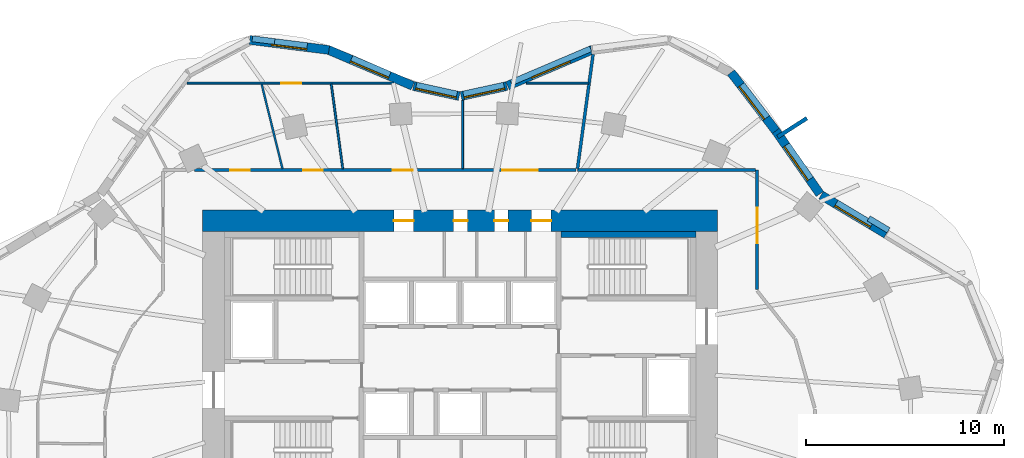
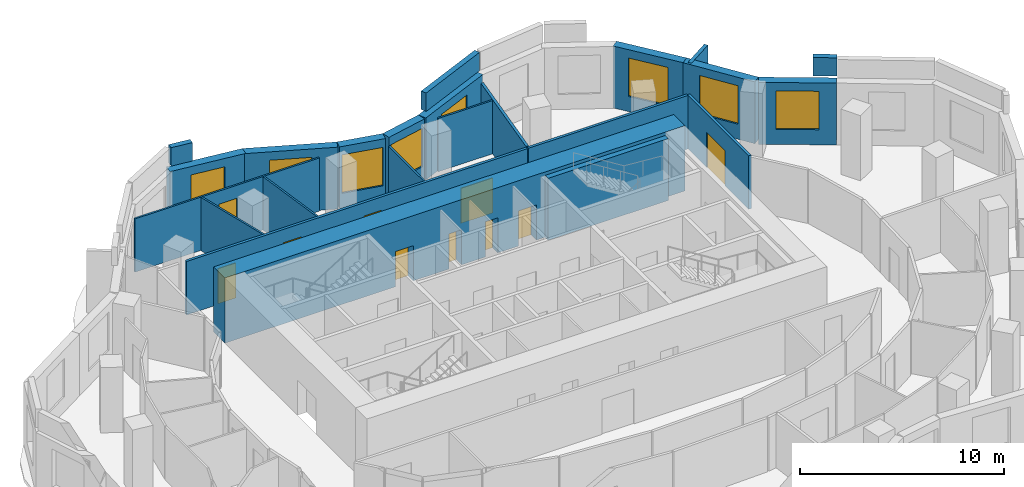
# One storey, part 8 of 10: 23 walls, 10 doors, 8 windows, 18 openings.
"""IFC4 building model written with IfcOpenShell, lengths in metres."""

from ifc_helpers import new_model, si_unit, direction, frame, frame_2d, origin, place, context, subcontext, project, spatial, rectangle, extrude, material, layer, layer_set, type_object, element, fill, save


model = new_model("IFC4")

# Units and contexts
model_context = context("Model", 3, precision=1e-05, world=origin(), true_north=direction((0.0, 1.0)))
body_context = subcontext(model_context, "Body", "Model", "MODEL_VIEW")
ifc_project = project(units=[si_unit("LENGTHUNIT", "METRE"), si_unit("AREAUNIT", "SQUARE_METRE"), si_unit("VOLUMEUNIT", "CUBIC_METRE"), si_unit("PLANEANGLEUNIT", "RADIAN"), si_unit("MASSUNIT", "GRAM", prefix="KILO")], contexts=[model_context])

# Site, building, storey
site_placement = place(None, origin())
site = spatial("IfcSite", under=ifc_project, at=site_placement, CompositionType="ELEMENT")
building_placement = place(site_placement, origin())
building = spatial("IfcBuilding", under=site, at=building_placement, Name="Rubra Terraces Tower", CompositionType="ELEMENT")
storey_placement = place(building_placement, frame((0.0, 0.0, 157.800048828125)))
storey = spatial("IfcBuildingStorey", under=building, at=storey_placement, Name="L38", CompositionType="ELEMENT", Elevation=157.800048828125)

# Wall, opening, window
ifc_material_1 = material(Name="Brick masonry red-brown", Category="masonry")
ifc_layer_1 = layer(ifc_material_1, 0.449951171875)
ifc_layer_set_1 = layer_set([ifc_layer_1], Name="Brick masonry red-brown")
wall_type_1 = type_object("IfcWallType", Name="Brick facade wall 450", PredefinedType="SOLIDWALL", material=ifc_layer_set_1)
wall_1_placement = place(storey_placement, frame((21.510498046875, 10.7744140625, 0.0), z_axis=(0.0, 0.0, 1.0), x_axis=(-0.857920147813, 0.513783047576, 0.0)))
wall_1 = element("IfcWall", 1, at=wall_1_placement, inside=storey, type_object=wall_type_1, Name="Facade wall L38 bay 4", PredefinedType="SOLIDWALL", context=body_context, shape_type="SweptSolid", body=[
    extrude(rectangle(XDim=3.82958984375, YDim=0.449951171875, at=frame_2d((1.914794921875, 0.0))), origin(), (0.0, 0.0, 1.0), 3.699951171875),
])
opening_1_placement = place(wall_1_placement, frame((0.86474609375, 0.0, 0.89990234375)))
opening_1 = element("IfcOpeningElement", 2, at=opening_1_placement, cuts=wall_1, Name="Opening W1B", PredefinedType="OPENING", context=body_context, shape_type="SweptSolid", body=[
    extrude(rectangle(XDim=2.10009765625, YDim=2.300048828125, at=frame_2d((1.050048828125, 1.14990234375))), frame((0.0, 0.23486328125, 0.0), z_axis=(0.0, -1.0, 0.0), x_axis=(1.0, 0.0, 0.0)), (0.0, 0.0, 1.0), 0.469970703125),
])
ifc_material_2 = material(Name="Clear glass in aluminium frame", Category="aluminium")
window_type_1 = type_object("IfcWindowType", Name="Fixed deep-set window tall storey 2100 x 2300", PartitioningType="SINGLE_PANEL", PredefinedType="WINDOW", material=ifc_material_2)
window_1_placement = place(opening_1_placement, origin())
window_1 = element("IfcWindow", 3, at=window_1_placement, inside=storey, type_object=window_type_1, Name="Window L38 bay 4", OverallHeight=2.300048828125, OverallWidth=2.10009765625, PartitioningType="SINGLE_PANEL", PredefinedType="WINDOW", context=body_context, shape_type="SweptSolid", body=[
    extrude(rectangle(XDim=2.10009765625, YDim=2.300048828125, at=frame_2d((1.050048828125, 1.14990234375))), frame((0.0, 0.135009765625, 0.0), z_axis=(0.0, -1.0, 0.0), x_axis=(1.0, 0.0, 0.0)), (0.0, 0.0, 1.0), 0.06005859375),
])
fill(opening_1, window_1)

wall_2_placement = place(storey_placement, frame((18.16259765625, 12.801025390625, 0.0), z_axis=(0.0, 0.0, 1.0), x_axis=(-0.57296578596, 0.819579287269, 0.0)))
wall_2 = element("IfcWall", 4, at=wall_2_placement, inside=storey, type_object=wall_type_1, Name="Facade wall L38 bay 5", PredefinedType="SOLIDWALL", context=body_context, shape_type="SweptSolid", body=[
    extrude(rectangle(XDim=3.89453125, YDim=0.449951171875, at=frame_2d((1.947265625, 0.0))), origin(), (0.0, 0.0, 1.0), 3.699951171875),
])
opening_2_placement = place(wall_2_placement, frame((0.897216796875, 0.0, 0.89990234375)))
opening_2 = element("IfcOpeningElement", 5, at=opening_2_placement, cuts=wall_2, Name="Opening W1B", PredefinedType="OPENING", context=body_context, shape_type="SweptSolid", body=[
    extrude(rectangle(XDim=2.10009765625, YDim=2.300048828125, at=frame_2d((1.050048828125, 1.14990234375))), frame((0.0, 0.23486328125, 0.0), z_axis=(0.0, -1.0, 0.0), x_axis=(1.0, 0.0, 0.0)), (0.0, 0.0, 1.0), 0.469970703125),
])
window_2_placement = place(opening_2_placement, origin())
window_2 = element("IfcWindow", 6, at=window_2_placement, inside=storey, type_object=window_type_1, Name="Window L38 bay 5", OverallHeight=2.300048828125, OverallWidth=2.10009765625, PartitioningType="SINGLE_PANEL", PredefinedType="WINDOW", context=body_context, shape_type="SweptSolid", body=[
    extrude(rectangle(XDim=2.10009765625, YDim=2.300048828125, at=frame_2d((1.050048828125, 1.14990234375))), frame((0.0, 0.135009765625, 0.0), z_axis=(0.0, -1.0, 0.0), x_axis=(1.0, 0.0, 0.0)), (0.0, 0.0, 1.0), 0.06005859375),
])
fill(opening_2, window_2)

wall_3_placement = place(storey_placement, frame((15.937255859375, 15.985107421875, 0.0), z_axis=(0.0, 0.0, 1.0), x_axis=(-0.60824792446, 0.793747102288, 0.0)))
wall_3 = element("IfcWall", 7, at=wall_3_placement, inside=storey, type_object=wall_type_1, Name="Facade wall L38 bay 6", PredefinedType="SOLIDWALL", context=body_context, shape_type="SweptSolid", body=[
    extrude(rectangle(XDim=3.712890625, YDim=0.449951171875, at=frame_2d((1.8564453125, 0.0))), origin(), (0.0, 0.0, 1.0), 3.699951171875),
])
opening_3_placement = place(wall_3_placement, frame((0.806396484375, 0.0, 0.89990234375)))
opening_3 = element("IfcOpeningElement", 8, at=opening_3_placement, cuts=wall_3, Name="Opening W1B", PredefinedType="OPENING", context=body_context, shape_type="SweptSolid", body=[
    extrude(rectangle(XDim=2.10009765625, YDim=2.300048828125, at=frame_2d((1.050048828125, 1.14990234375))), frame((0.0, 0.23486328125, 0.0), z_axis=(0.0, -1.0, 0.0), x_axis=(1.0, 0.0, 0.0)), (0.0, 0.0, 1.0), 0.469970703125),
])
window_3_placement = place(opening_3_placement, origin())
window_3 = element("IfcWindow", 9, at=window_3_placement, inside=storey, type_object=window_type_1, Name="Window L38 bay 6", OverallHeight=2.300048828125, OverallWidth=2.10009765625, PartitioningType="SINGLE_PANEL", PredefinedType="WINDOW", context=body_context, shape_type="SweptSolid", body=[
    extrude(rectangle(XDim=2.10009765625, YDim=2.300048828125, at=frame_2d((1.050048828125, 1.14990234375))), frame((0.0, 0.135009765625, 0.0), z_axis=(0.0, -1.0, 0.0), x_axis=(1.0, 0.0, 0.0)), (0.0, 0.0, 1.0), 0.06005859375),
])
fill(opening_3, window_3)

wall_4_placement = place(storey_placement, frame((6.68212890625, 20.0859375, 0.0), z_axis=(0.0, 0.0, 1.0), x_axis=(-0.920066650468, -0.391761864781, 0.0)))
wall_4 = element("IfcWall", 10, at=wall_4_placement, inside=storey, type_object=wall_type_1, Name="Facade wall L38 bay 9", PredefinedType="SOLIDWALL", context=body_context, shape_type="SweptSolid", body=[
    extrude(rectangle(XDim=4.65966796875, YDim=0.449951171875, at=frame_2d((2.329833984375, 0.0))), origin(), (0.0, 0.0, 1.0), 3.699951171875),
])
opening_4_placement = place(wall_4_placement, frame((1.27978515625, 0.0, 0.89990234375)))
opening_4 = element("IfcOpeningElement", 11, at=opening_4_placement, cuts=wall_4, Name="Opening W1B", PredefinedType="OPENING", context=body_context, shape_type="SweptSolid", body=[
    extrude(rectangle(XDim=2.10009765625, YDim=2.300048828125, at=frame_2d((1.050048828125, 1.14990234375))), frame((0.0, 0.23486328125, 0.0), z_axis=(0.0, -1.0, 0.0), x_axis=(1.0, 0.0, 0.0)), (0.0, 0.0, 1.0), 0.469970703125),
])
window_4_placement = place(opening_4_placement, origin())
window_4 = element("IfcWindow", 12, at=window_4_placement, inside=storey, type_object=window_type_1, Name="Window L38 bay 9", OverallHeight=2.300048828125, OverallWidth=2.10009765625, PartitioningType="SINGLE_PANEL", PredefinedType="WINDOW", context=body_context, shape_type="SweptSolid", body=[
    extrude(rectangle(XDim=2.10009765625, YDim=2.300048828125, at=frame_2d((1.050048828125, 1.14990234375))), frame((0.0, 0.135009765625, 0.0), z_axis=(0.0, -1.0, 0.0), x_axis=(1.0, 0.0, 0.0)), (0.0, 0.0, 1.0), 0.06005859375),
])
fill(opening_4, window_4)

wall_5_placement = place(storey_placement, frame((2.35498046875, 18.247802734375, 0.0), z_axis=(0.0, 0.0, 1.0), x_axis=(-0.976877755098, -0.213798623933, 0.0)))
wall_5 = element("IfcWall", 13, at=wall_5_placement, inside=storey, type_object=wall_type_1, Name="Facade wall L38 bay 10", PredefinedType="SOLIDWALL", context=body_context, shape_type="SweptSolid", body=[
    extrude(rectangle(XDim=2.361572265625, YDim=0.449951171875, at=frame_2d((1.1806640625, 0.0))), origin(), (0.0, 0.0, 1.0), 3.699951171875),
])
opening_5_placement = place(wall_5_placement, frame((0.130615234375, 0.0, 0.89990234375)))
opening_5 = element("IfcOpeningElement", 14, at=opening_5_placement, cuts=wall_5, Name="Opening W1B", PredefinedType="OPENING", context=body_context, shape_type="SweptSolid", body=[
    extrude(rectangle(XDim=2.10009765625, YDim=2.300048828125, at=frame_2d((1.050048828125, 1.14990234375))), frame((0.0, 0.23486328125, 0.0), z_axis=(0.0, -1.0, 0.0), x_axis=(1.0, 0.0, 0.0)), (0.0, 0.0, 1.0), 0.469970703125),
])
window_5_placement = place(opening_5_placement, origin())
window_5 = element("IfcWindow", 15, at=window_5_placement, inside=storey, type_object=window_type_1, Name="Window L38 bay 10", OverallHeight=2.300048828125, OverallWidth=2.10009765625, PartitioningType="SINGLE_PANEL", PredefinedType="WINDOW", context=body_context, shape_type="SweptSolid", body=[
    extrude(rectangle(XDim=2.10009765625, YDim=2.300048828125, at=frame_2d((1.050048828125, 1.14990234375))), frame((0.0, 0.135009765625, 0.0), z_axis=(0.0, -1.0, 0.0), x_axis=(1.0, 0.0, 0.0)), (0.0, 0.0, 1.0), 0.06005859375),
])
fill(opening_5, window_5)

wall_6_placement = place(storey_placement, frame((-0.048095703125, 17.742919921875, 0.0), z_axis=(0.0, 0.0, 1.0), x_axis=(-0.976877755098, 0.213798623933, 0.0)))
wall_6 = element("IfcWall", 16, at=wall_6_placement, inside=storey, type_object=wall_type_1, Name="Facade wall L38 bay 11", PredefinedType="SOLIDWALL", context=body_context, shape_type="SweptSolid", body=[
    extrude(rectangle(XDim=2.361572265625, YDim=0.449951171875, at=frame_2d((1.1806640625, 0.0))), origin(), (0.0, 0.0, 1.0), 3.699951171875),
])
opening_6_placement = place(wall_6_placement, frame((0.130615234375, 0.0, 0.89990234375)))
opening_6 = element("IfcOpeningElement", 17, at=opening_6_placement, cuts=wall_6, Name="Opening W1B", PredefinedType="OPENING", context=body_context, shape_type="SweptSolid", body=[
    extrude(rectangle(XDim=2.10009765625, YDim=2.300048828125, at=frame_2d((1.050048828125, 1.14990234375))), frame((0.0, 0.23486328125, 0.0), z_axis=(0.0, -1.0, 0.0), x_axis=(1.0, 0.0, 0.0)), (0.0, 0.0, 1.0), 0.469970703125),
])
window_6_placement = place(opening_6_placement, origin())
window_6 = element("IfcWindow", 18, at=window_6_placement, inside=storey, type_object=window_type_1, Name="Window L38 bay 11", OverallHeight=2.300048828125, OverallWidth=2.10009765625, PartitioningType="SINGLE_PANEL", PredefinedType="WINDOW", context=body_context, shape_type="SweptSolid", body=[
    extrude(rectangle(XDim=2.10009765625, YDim=2.300048828125, at=frame_2d((1.050048828125, 1.14990234375))), frame((0.0, 0.135009765625, 0.0), z_axis=(0.0, -1.0, 0.0), x_axis=(1.0, 0.0, 0.0)), (0.0, 0.0, 1.0), 0.06005859375),
])
fill(opening_6, window_6)

wall_7_placement = place(storey_placement, frame((-2.39501953125, 18.260498046875, 0.0), z_axis=(0.0, 0.0, 1.0), x_axis=(-0.920066650468, 0.391761864781, 0.0)))
wall_7 = element("IfcWall", 19, at=wall_7_placement, inside=storey, type_object=wall_type_1, Name="Facade wall L38 bay 12", PredefinedType="SOLIDWALL", context=body_context, shape_type="SweptSolid", body=[
    extrude(rectangle(XDim=4.65966796875, YDim=0.449951171875, at=frame_2d((2.329833984375, 0.0))), origin(), (0.0, 0.0, 1.0), 3.699951171875),
])
opening_7_placement = place(wall_7_placement, frame((1.27978515625, 0.0, 0.89990234375)))
opening_7 = element("IfcOpeningElement", 20, at=opening_7_placement, cuts=wall_7, Name="Opening W1B", PredefinedType="OPENING", context=body_context, shape_type="SweptSolid", body=[
    extrude(rectangle(XDim=2.10009765625, YDim=2.300048828125, at=frame_2d((1.050048828125, 1.14990234375))), frame((0.0, 0.23486328125, 0.0), z_axis=(0.0, -1.0, 0.0), x_axis=(1.0, 0.0, 0.0)), (0.0, 0.0, 1.0), 0.469970703125),
])
window_7_placement = place(opening_7_placement, origin())
window_7 = element("IfcWindow", 21, at=window_7_placement, inside=storey, type_object=window_type_1, Name="Window L38 bay 12", OverallHeight=2.300048828125, OverallWidth=2.10009765625, PartitioningType="SINGLE_PANEL", PredefinedType="WINDOW", context=body_context, shape_type="SweptSolid", body=[
    extrude(rectangle(XDim=2.10009765625, YDim=2.300048828125, at=frame_2d((1.050048828125, 1.14990234375))), frame((0.0, 0.135009765625, 0.0), z_axis=(0.0, -1.0, 0.0), x_axis=(1.0, 0.0, 0.0)), (0.0, 0.0, 1.0), 0.06005859375),
])
fill(opening_7, window_7)

wall_8_placement = place(storey_placement, frame((-6.622314453125, 20.06982421875, 0.0), z_axis=(0.0, 0.0, 1.0), x_axis=(-0.992109407201, 0.125375133674, 0.0)))
wall_8 = element("IfcWall", 22, at=wall_8_placement, inside=storey, type_object=wall_type_1, Name="Facade wall L38 bay 13", PredefinedType="SOLIDWALL", context=body_context, shape_type="SweptSolid", body=[
    extrude(rectangle(XDim=4.03466796875, YDim=0.449951171875, at=frame_2d((2.017333984375, 0.0))), origin(), (0.0, 0.0, 1.0), 3.699951171875),
])
opening_8_placement = place(wall_8_placement, frame((1.117431640625, 0.0, 0.89990234375)))
opening_8 = element("IfcOpeningElement", 23, at=opening_8_placement, cuts=wall_8, Name="Opening W6B", PredefinedType="OPENING", context=body_context, shape_type="SweptSolid", body=[
    extrude(rectangle(XDim=1.800048828125, YDim=2.300048828125, at=frame_2d((0.89990234375, 1.14990234375))), frame((0.0, 0.23486328125, 0.0), z_axis=(0.0, -1.0, 0.0), x_axis=(1.0, 0.0, 0.0)), (0.0, 0.0, 1.0), 0.469970703125),
])
window_type_2 = type_object("IfcWindowType", Name="Fixed deep-set window at wind fin tall storey 1800 x 2300", PartitioningType="SINGLE_PANEL", PredefinedType="WINDOW", material=ifc_material_2)
window_8_placement = place(opening_8_placement, origin())
window_8 = element("IfcWindow", 24, at=window_8_placement, inside=storey, type_object=window_type_2, Name="Window L38 bay 13", OverallHeight=2.300048828125, OverallWidth=1.800048828125, PartitioningType="SINGLE_PANEL", PredefinedType="WINDOW", context=body_context, shape_type="SweptSolid", body=[
    extrude(rectangle(XDim=1.800048828125, YDim=2.300048828125, at=frame_2d((0.89990234375, 1.14990234375))), frame((0.0, 0.135009765625, 0.0), z_axis=(0.0, -1.0, 0.0), x_axis=(1.0, 0.0, 0.0)), (0.0, 0.0, 1.0), 0.06005859375),
])
fill(opening_8, window_8)

# Walls
ifc_layer_2 = layer(ifc_material_1, 0.300048828125)
ifc_layer_set_2 = layer_set([ifc_layer_2], Name="Brick masonry red-brown")
wall_type_2 = type_object("IfcWallType", Name="Brick parapet 300", PredefinedType="PARAPET", material=ifc_layer_set_2)
wall_9_placement = place(storey_placement, frame((21.631103515625, 10.964599609375, 3.89990234375), z_axis=(0.0, 0.0, 1.0), x_axis=(-0.857953615481, 0.513727158795, 0.0)))
element("IfcWall", 25, at=wall_9_placement, inside=storey, type_object=wall_type_2, Name="Parapet L38 bay 4", PredefinedType="PARAPET", context=body_context, shape_type="SweptSolid", body=[
    extrude(rectangle(XDim=1.168212890625, YDim=0.300048828125, at=frame_2d((0.583984375, 0.0))), origin(), (0.0, 0.0, 1.0), 1.10009765625),
])
wall_10_placement = place(storey_placement, frame((6.586669921875, 20.126953125, 3.89990234375), z_axis=(0.0, 0.0, 1.0), x_axis=(-0.920058392097, -0.39178125929, 0.0)))
element("IfcWall", 26, at=wall_10_placement, inside=storey, type_object=wall_type_2, Name="Parapet L38 bay 9", PredefinedType="PARAPET", context=body_context, shape_type="SweptSolid", body=[
    extrude(rectangle(XDim=4.357177734375, YDim=0.300048828125, at=frame_2d((2.1787109375, 0.0))), origin(), (0.0, 0.0, 1.0), 1.10009765625),
])
wall_11_placement = place(storey_placement, frame((-9.365966796875, 20.4921875, 3.89990234375), z_axis=(0.0, 0.0, 1.0), x_axis=(-0.992101446216, 0.125438113889, 0.0)))
element("IfcWall", 27, at=wall_11_placement, inside=storey, type_object=wall_type_2, Name="Parapet L38 bay 13", PredefinedType="PARAPET", context=body_context, shape_type="SweptSolid", body=[
    extrude(rectangle(XDim=1.134765625, YDim=0.300048828125, at=frame_2d((0.5673828125, 0.0))), origin(), (0.0, 0.0, 1.0), 1.10009765625),
])
ifc_layer_3 = layer(ifc_material_1, 0.199951171875)
ifc_layer_set_3 = layer_set([ifc_layer_3], Name="Brick masonry red-brown")
wall_type_3 = type_object("IfcWallType", Name="Brick wind fin 200", PredefinedType="SOLIDWALL", material=ifc_layer_set_3)
wall_12_placement = place(storey_placement, frame((16.032958984375, 15.679931640625, 0.0), z_axis=(0.0, 0.0, 1.0), x_axis=(0.842083858075, 0.539346619503, 0.0)))
element("IfcWall", 28, at=wall_12_placement, inside=storey, type_object=wall_type_3, Name="Wind fin L38 3", PredefinedType="SOLIDWALL", context=body_context, shape_type="SweptSolid", body=[
    extrude(rectangle(XDim=1.75, YDim=0.199951171875, at=frame_2d((0.875, 0.0))), origin(), (0.0, 0.0, 1.0), 3.699951171875),
])

# Wall, openings, doors
ifc_material_3 = material(Name="Concrete C60", Category="concrete")
ifc_layer_4 = layer(ifc_material_3, 1.10009765625)
ifc_layer_set_4 = layer_set([ifc_layer_4], Name="Concrete C60")
wall_type_4 = type_object("IfcWallType", Name="CORE WALL 1100 C60", PredefinedType="SHEAR", material=ifc_layer_set_4)
wall_13_placement = place(storey_placement, frame((-13.0, 11.449951171875, 0.0), z_axis=(0.0, 0.0, 1.0), x_axis=(1.0, 0.0, 0.0)))
wall_13 = element("IfcWall", 29, at=wall_13_placement, inside=storey, type_object=wall_type_4, Name="CORE WALL N L38", PredefinedType="SHEAR", context=body_context, shape_type="SweptSolid", body=[
    extrude(rectangle(XDim=26.0, YDim=1.10009765625, at=frame_2d((13.0, 0.0))), origin(), (0.0, 0.0, 1.0), 3.89990234375),
])
opening_9_placement = place(wall_13_placement, frame((9.64990234375, 0.0, 0.0)))
opening_9 = element("IfcOpeningElement", 30, at=opening_9_placement, cuts=wall_13, Name="Opening L38.C25", PredefinedType="OPENING", context=body_context, shape_type="SweptSolid", body=[
    extrude(rectangle(XDim=1.0, YDim=2.10009765625, at=frame_2d((0.5, 1.050048828125))), frame((0.0, 0.56005859375, 0.0), z_axis=(0.0, -1.0, 0.0), x_axis=(1.0, 0.0, 0.0)), (0.0, 0.0, 1.0), 1.1201171875),
])
opening_10_placement = place(wall_13_placement, frame((12.675048828125, 0.0, 0.0)))
opening_10 = element("IfcOpeningElement", 31, at=opening_10_placement, cuts=wall_13, Name="Opening L38.C26", PredefinedType="OPENING", context=body_context, shape_type="SweptSolid", body=[
    extrude(rectangle(XDim=0.699951171875, YDim=2.10009765625, at=frame_2d((0.35009765625, 1.050048828125))), frame((0.0, 0.56005859375, 0.0), z_axis=(0.0, -1.0, 0.0), x_axis=(1.0, 0.0, 0.0)), (0.0, 0.0, 1.0), 1.1201171875),
])
opening_11_placement = place(wall_13_placement, frame((14.72509765625, 0.0, 0.0)))
opening_11 = element("IfcOpeningElement", 32, at=opening_11_placement, cuts=wall_13, Name="Opening L38.C27", PredefinedType="OPENING", context=body_context, shape_type="SweptSolid", body=[
    extrude(rectangle(XDim=0.699951171875, YDim=2.10009765625, at=frame_2d((0.35009765625, 1.050048828125))), frame((0.0, 0.56005859375, 0.0), z_axis=(0.0, -1.0, 0.0), x_axis=(1.0, 0.0, 0.0)), (0.0, 0.0, 1.0), 1.1201171875),
])
opening_12_placement = place(wall_13_placement, frame((16.60009765625, 0.0, 0.0)))
opening_12 = element("IfcOpeningElement", 33, at=opening_12_placement, cuts=wall_13, Name="Opening L38.C28", PredefinedType="OPENING", context=body_context, shape_type="SweptSolid", body=[
    extrude(rectangle(XDim=1.0, YDim=2.10009765625, at=frame_2d((0.5, 1.050048828125))), frame((0.0, 0.56005859375, 0.0), z_axis=(0.0, -1.0, 0.0), x_axis=(1.0, 0.0, 0.0)), (0.0, 0.0, 1.0), 1.1201171875),
])
ifc_material_4 = material(Name="Painted steel", Category="steel")
door_type_1 = type_object("IfcDoorType", Name="Fire door 1000x2100 single", OperationType="NOTDEFINED", PredefinedType="DOOR", material=ifc_material_4)
door_1_placement = place(opening_9_placement, origin())
door_1 = element("IfcDoor", 34, at=door_1_placement, inside=storey, type_object=door_type_1, Name="Tea point door", OperationType="SINGLE_SWING_LEFT", OverallHeight=2.10009765625, OverallWidth=1.0, PredefinedType="DOOR", context=body_context, shape_type="SweptSolid", body=[
    extrude(rectangle(XDim=1.0, YDim=2.10009765625, at=frame_2d((0.5, 1.050048828125))), frame((0.0, 0.02490234375, 0.0), z_axis=(0.0, -1.0, 0.0), x_axis=(1.0, 0.0, 0.0)), (0.0, 0.0, 1.0), 0.050048828125),
])
fill(opening_9, door_1)
door_2_placement = place(opening_12_placement, origin())
door_2 = element("IfcDoor", 35, at=door_2_placement, inside=storey, type_object=door_type_1, Name="General store door", OperationType="SINGLE_SWING_RIGHT", OverallHeight=2.10009765625, OverallWidth=1.0, PredefinedType="DOOR", context=body_context, shape_type="SweptSolid", body=[
    extrude(rectangle(XDim=1.0, YDim=2.10009765625, at=frame_2d((0.5, 1.050048828125))), frame((0.0, 0.02490234375, 0.0), z_axis=(0.0, -1.0, 0.0), x_axis=(1.0, 0.0, 0.0)), (0.0, 0.0, 1.0), 0.050048828125),
])
fill(opening_12, door_2)
door_type_2 = type_object("IfcDoorType", Name="Riser access door 700x2100 single", OperationType="NOTDEFINED", PredefinedType="DOOR", material=ifc_material_4)
door_3_placement = place(opening_10_placement, origin())
door_3 = element("IfcDoor", 36, at=door_3_placement, inside=storey, type_object=door_type_2, Name="Electrical riser room door", OperationType="SINGLE_SWING_RIGHT", OverallHeight=2.10009765625, OverallWidth=0.699951171875, PredefinedType="DOOR", context=body_context, shape_type="SweptSolid", body=[
    extrude(rectangle(XDim=0.699951171875, YDim=2.10009765625, at=frame_2d((0.35009765625, 1.050048828125))), frame((0.0, 0.02490234375, 0.0), z_axis=(0.0, -1.0, 0.0), x_axis=(1.0, 0.0, 0.0)), (0.0, 0.0, 1.0), 0.050048828125),
])
fill(opening_10, door_3)
door_4_placement = place(opening_11_placement, origin())
door_4 = element("IfcDoor", 37, at=door_4_placement, inside=storey, type_object=door_type_2, Name="Telecoms room door", OperationType="SINGLE_SWING_LEFT", OverallHeight=2.10009765625, OverallWidth=0.699951171875, PredefinedType="DOOR", context=body_context, shape_type="SweptSolid", body=[
    extrude(rectangle(XDim=0.699951171875, YDim=2.10009765625, at=frame_2d((0.35009765625, 1.050048828125))), frame((0.0, 0.02490234375, 0.0), z_axis=(0.0, -1.0, 0.0), x_axis=(1.0, 0.0, 0.0)), (0.0, 0.0, 1.0), 0.050048828125),
])
fill(opening_11, door_4)

# Wall, opening, door
ifc_material_5 = material(Name="Plasterboard on steel stud, mineral wool infill", Category="steel")
ifc_layer_5 = layer(ifc_material_5, 0.14990234375)
ifc_layer_set_5 = layer_set([ifc_layer_5], Name="Plasterboard on steel stud, mineral wool infill")
wall_type_5 = type_object("IfcWallType", Name="CORRIDOR PARTITION 150", PredefinedType="PARTITIONING", material=ifc_layer_set_5)
wall_14_placement = place(storey_placement, frame((15.0, 7.979248046875, 0.0), z_axis=(0.0, 0.0, 1.0), x_axis=(0.0, 1.0, 0.0)))
wall_14 = element("IfcWall", 38, at=wall_14_placement, inside=storey, type_object=wall_type_5, Name="PARTITION", PredefinedType="PARTITIONING", context=body_context, shape_type="SweptSolid", body=[
    extrude(rectangle(XDim=6.020751953125, YDim=0.14990234375, at=frame_2d((3.01025390625, 0.0))), origin(), (0.0, 0.0, 1.0), 3.197998046875),
])
opening_13_placement = place(wall_14_placement, frame((2.320068359375, 0.0, 0.0)))
opening_13 = element("IfcOpeningElement", 39, at=opening_13_placement, cuts=wall_14, Name="Opening 38-101", PredefinedType="OPENING", context=body_context, shape_type="SweptSolid", body=[
    extrude(rectangle(XDim=1.800048828125, YDim=2.10009765625, at=frame_2d((0.89990234375, 1.050048828125))), frame((0.0, 0.0849609375, 0.0), z_axis=(0.0, -1.0, 0.0), x_axis=(1.0, 0.0, 0.0)), (0.0, 0.0, 1.0), 0.169921875),
])
ifc_material_6 = material(Name="Painted timber door leaf, double", Category="wood")
door_type_3 = type_object("IfcDoorType", Name="ROOM DOUBLE DOOR 1800 X 2100", OperationType="DOUBLE_DOOR_SINGLE_SWING", PredefinedType="DOOR", material=ifc_material_6)
door_5_placement = place(opening_13_placement, origin())
door_5 = element("IfcDoor", 40, at=door_5_placement, inside=storey, type_object=door_type_3, Name="DOOR 38-101", OperationType="DOUBLE_DOOR_SINGLE_SWING", OverallHeight=2.10009765625, OverallWidth=1.800048828125, PredefinedType="DOOR", context=body_context, shape_type="SweptSolid", body=[
    extrude(rectangle(XDim=1.800048828125, YDim=2.10009765625, at=frame_2d((0.89990234375, 1.050048828125))), frame((0.0, 0.02490234375, 0.0), z_axis=(0.0, -1.0, 0.0), x_axis=(1.0, 0.0, 0.0)), (0.0, 0.0, 1.0), 0.050048828125),
])
fill(opening_13, door_5)

# Wall
wall_15_placement = place(storey_placement, frame((14.925048828125, 14.0, 0.0), z_axis=(0.0, 0.0, 1.0), x_axis=(-1.0, 0.0, 0.0)))
element("IfcWall", 41, at=wall_15_placement, inside=storey, type_object=wall_type_5, Name="PARTITION", PredefinedType="PARTITIONING", context=body_context, shape_type="SweptSolid", body=[
    extrude(rectangle(XDim=9.01025390625, YDim=0.14990234375, at=frame_2d((4.505126953125, 0.0))), origin(), (0.0, 0.0, 1.0), 3.197998046875),
])

# Wall, openings, doors
wall_16_placement = place(storey_placement, frame((5.839599609375, 14.0, 0.0), z_axis=(0.0, 0.0, 1.0), x_axis=(-1.0, 0.0, 0.0)))
wall_16 = element("IfcWall", 42, at=wall_16_placement, inside=storey, type_object=wall_type_5, Name="PARTITION", PredefinedType="PARTITIONING", context=body_context, shape_type="SweptSolid", body=[
    extrude(rectangle(XDim=19.259521484375, YDim=0.14990234375, at=frame_2d((9.6298828125, 0.0))), origin(), (0.0, 0.0, 1.0), 3.197998046875),
])
opening_14_placement = place(wall_16_placement, frame((1.922119140625, 0.0, 0.0)))
opening_14 = element("IfcOpeningElement", 43, at=opening_14_placement, cuts=wall_16, Name="Opening 38-102", PredefinedType="OPENING", context=body_context, shape_type="SweptSolid", body=[
    extrude(rectangle(XDim=1.800048828125, YDim=2.10009765625, at=frame_2d((0.89990234375, 1.050048828125))), frame((0.0, 0.0849609375, 0.0), z_axis=(0.0, -1.0, 0.0), x_axis=(1.0, 0.0, 0.0)), (0.0, 0.0, 1.0), 0.169921875),
])
opening_15_placement = place(wall_16_placement, frame((8.237060546875, 0.0, 0.0)))
opening_15 = element("IfcOpeningElement", 44, at=opening_15_placement, cuts=wall_16, Name="Opening 38-103", PredefinedType="OPENING", context=body_context, shape_type="SweptSolid", body=[
    extrude(rectangle(XDim=1.0, YDim=2.39990234375, at=frame_2d((0.5, 1.199951171875))), frame((0.0, 0.0849609375, 0.0), z_axis=(0.0, -1.0, 0.0), x_axis=(1.0, 0.0, 0.0)), (0.0, 0.0, 1.0), 0.169921875),
])
opening_16_placement = place(wall_16_placement, frame((12.77294921875, 0.0, 0.0)))
opening_16 = element("IfcOpeningElement", 45, at=opening_16_placement, cuts=wall_16, Name="Opening 38-104", PredefinedType="OPENING", context=body_context, shape_type="SweptSolid", body=[
    extrude(rectangle(XDim=1.0, YDim=2.39990234375, at=frame_2d((0.5, 1.199951171875))), frame((0.0, 0.0849609375, 0.0), z_axis=(0.0, -1.0, 0.0), x_axis=(1.0, 0.0, 0.0)), (0.0, 0.0, 1.0), 0.169921875),
])
opening_17_placement = place(wall_16_placement, frame((16.449951171875, 0.0, 0.0)))
opening_17 = element("IfcOpeningElement", 46, at=opening_17_placement, cuts=wall_16, Name="Opening 38-121", PredefinedType="OPENING", context=body_context, shape_type="SweptSolid", body=[
    extrude(rectangle(XDim=1.0, YDim=2.10009765625, at=frame_2d((0.5, 1.050048828125))), frame((0.0, 0.0849609375, 0.0), z_axis=(0.0, -1.0, 0.0), x_axis=(1.0, 0.0, 0.0)), (0.0, 0.0, 1.0), 0.169921875),
])
ifc_material_7 = material(Name="Glazed aluminium meeting door leaf", Category="aluminium")
door_type_4 = type_object("IfcDoorType", Name="MEETING ROOM GLAZED DOOR 1000 X 2400", OperationType="SINGLE_SWING_LEFT", PredefinedType="DOOR", material=ifc_material_7)
door_6_placement = place(opening_15_placement, origin())
door_6 = element("IfcDoor", 47, at=door_6_placement, inside=storey, type_object=door_type_4, Name="DOOR 38-103", OperationType="SINGLE_SWING_RIGHT", OverallHeight=2.39990234375, OverallWidth=1.0, PredefinedType="DOOR", context=body_context, shape_type="SweptSolid", body=[
    extrude(rectangle(XDim=1.0, YDim=2.39990234375, at=frame_2d((0.5, 1.199951171875))), frame((0.0, 0.02490234375, 0.0), z_axis=(0.0, -1.0, 0.0), x_axis=(1.0, 0.0, 0.0)), (0.0, 0.0, 1.0), 0.050048828125),
])
fill(opening_15, door_6)
door_7_placement = place(opening_16_placement, origin())
door_7 = element("IfcDoor", 48, at=door_7_placement, inside=storey, type_object=door_type_4, Name="DOOR 38-104", OperationType="SINGLE_SWING_RIGHT", OverallHeight=2.39990234375, OverallWidth=1.0, PredefinedType="DOOR", context=body_context, shape_type="SweptSolid", body=[
    extrude(rectangle(XDim=1.0, YDim=2.39990234375, at=frame_2d((0.5, 1.199951171875))), frame((0.0, 0.02490234375, 0.0), z_axis=(0.0, -1.0, 0.0), x_axis=(1.0, 0.0, 0.0)), (0.0, 0.0, 1.0), 0.050048828125),
])
fill(opening_16, door_7)
ifc_material_8 = material(Name="Painted timber door leaf", Category="wood")
door_type_5 = type_object("IfcDoorType", Name="ROOM DOOR 1000 X 2100", OperationType="SINGLE_SWING_LEFT", PredefinedType="DOOR", material=ifc_material_8)
door_8_placement = place(opening_17_placement, origin())
door_8 = element("IfcDoor", 49, at=door_8_placement, inside=storey, type_object=door_type_5, Name="DOOR 38-121", OperationType="SINGLE_SWING_RIGHT", OverallHeight=2.10009765625, OverallWidth=1.0, PredefinedType="DOOR", context=body_context, shape_type="SweptSolid", body=[
    extrude(rectangle(XDim=1.0, YDim=2.10009765625, at=frame_2d((0.5, 1.050048828125))), frame((0.0, 0.02490234375, 0.0), z_axis=(0.0, -1.0, 0.0), x_axis=(1.0, 0.0, 0.0)), (0.0, 0.0, 1.0), 0.050048828125),
])
fill(opening_17, door_8)
door_9_placement = place(opening_14_placement, origin())
door_9 = element("IfcDoor", 50, at=door_9_placement, inside=storey, type_object=door_type_3, Name="DOOR 38-102", OperationType="DOUBLE_DOOR_SINGLE_SWING", OverallHeight=2.10009765625, OverallWidth=1.800048828125, PredefinedType="DOOR", context=body_context, shape_type="SweptSolid", body=[
    extrude(rectangle(XDim=1.800048828125, YDim=2.10009765625, at=frame_2d((0.89990234375, 1.050048828125))), frame((0.0, 0.02490234375, 0.0), z_axis=(0.0, -1.0, 0.0), x_axis=(1.0, 0.0, 0.0)), (0.0, 0.0, 1.0), 0.050048828125),
])
fill(opening_14, door_9)

# Wall
ifc_material_9 = material(Name="Concrete C40", Category="concrete")
ifc_layer_6 = layer(ifc_material_9, 0.300048828125)
ifc_layer_set_6 = layer_set([ifc_layer_6], Name="Concrete C40")
wall_type_6 = type_object("IfcWallType", Name="Core lining wall 300 concrete", PredefinedType="SOLIDWALL", material=ifc_layer_set_6)
wall_17_placement = place(storey_placement, frame((11.89990234375, 10.75, 0.0), z_axis=(0.0, 0.0, 1.0), x_axis=(-1.0, 0.0, 0.0)))
element("IfcWall", 51, at=wall_17_placement, inside=storey, type_object=wall_type_6, Name="CORE LINING WALL L38", PredefinedType="SOLIDWALL", context=body_context, shape_type="SweptSolid", body=[
    extrude(rectangle(XDim=6.7998046875, YDim=0.300048828125, at=frame_2d((3.39990234375, 0.0))), origin(), (0.0, 0.0, 1.0), 3.699951171875),
])

# Wall, opening, door
ifc_material_10 = material(Name="Plasterboard on steel stud", Category="steel")
ifc_layer_7 = layer(ifc_material_10, 0.10009765625)
ifc_layer_set_7 = layer_set([ifc_layer_7], Name="Plasterboard on steel stud")
wall_type_7 = type_object("IfcWallType", Name="ROOM PARTITION 100", PredefinedType="PARTITIONING", material=ifc_layer_set_7)
wall_18_placement = place(storey_placement, frame((-13.778076171875, 18.39990234375, 0.0), z_axis=(0.0, 0.0, 1.0), x_axis=(1.0, 0.0, 0.0)))
wall_18 = element("IfcWall", 52, at=wall_18_placement, inside=storey, type_object=wall_type_7, Name="PARTITION", PredefinedType="PARTITIONING", context=body_context, shape_type="SweptSolid", body=[
    extrude(rectangle(XDim=10.43017578125, YDim=0.10009765625, at=frame_2d((5.215087890625, 0.0))), origin(), (0.0, 0.0, 1.0), 3.183837890625),
])
opening_18_placement = place(wall_18_placement, frame((4.75, 0.0, 0.0)))
opening_18 = element("IfcOpeningElement", 53, at=opening_18_placement, cuts=wall_18, Name="Opening 38-120", PredefinedType="OPENING", context=body_context, shape_type="SweptSolid", body=[
    extrude(rectangle(XDim=1.0, YDim=2.39990234375, at=frame_2d((0.5, 1.199951171875))), frame((0.0, 0.06005859375, 0.0), z_axis=(0.0, -1.0, 0.0), x_axis=(1.0, 0.0, 0.0)), (0.0, 0.0, 1.0), 0.1201171875),
])
door_10_placement = place(opening_18_placement, origin())
door_10 = element("IfcDoor", 54, at=door_10_placement, inside=storey, type_object=door_type_4, Name="DOOR 38-120", OperationType="SINGLE_SWING_LEFT", OverallHeight=2.39990234375, OverallWidth=1.0, PredefinedType="DOOR", context=body_context, shape_type="SweptSolid", body=[
    extrude(rectangle(XDim=1.0, YDim=2.39990234375, at=frame_2d((0.5, 1.199951171875))), frame((0.0, 0.02490234375, 0.0), z_axis=(0.0, -1.0, 0.0), x_axis=(1.0, 0.0, 0.0)), (0.0, 0.0, 1.0), 0.050048828125),
])
fill(opening_18, door_10)

# Walls
wall_19_placement = place(storey_placement, frame((3.347900390625, 18.39990234375, 0.0), z_axis=(0.0, 0.0, 1.0), x_axis=(1.0, 0.0, 0.0)))
element("IfcWall", 55, at=wall_19_placement, inside=storey, type_object=wall_type_7, Name="PARTITION", PredefinedType="PARTITIONING", context=body_context, shape_type="SweptSolid", body=[
    extrude(rectangle(XDim=3.146240234375, YDim=0.10009765625, at=frame_2d((1.5732421875, 0.0))), origin(), (0.0, 0.0, 1.0), 3.183837890625),
])
wall_20_placement = place(storey_placement, frame((0.120361328125, 14.074951171875, 0.0), z_axis=(0.0, 0.0, 1.0), x_axis=(0.001342849874, 0.999999098377, 0.0)))
element("IfcWall", 56, at=wall_20_placement, inside=storey, type_object=wall_type_7, Name="PARTITION", PredefinedType="PARTITIONING", context=body_context, shape_type="SweptSolid", body=[
    extrude(rectangle(XDim=3.454345703125, YDim=0.10009765625, at=frame_2d((1.72705078125, 0.0))), origin(), (0.0, 0.0, 1.0), 3.183837890625),
])
wall_21_placement = place(storey_placement, frame((-5.9248046875, 14.07421875, 0.0), z_axis=(0.0, 0.0, 1.0), x_axis=(-0.135027377195, 0.990841868013, 0.0)))
element("IfcWall", 57, at=wall_21_placement, inside=storey, type_object=wall_type_7, Name="PARTITION", PredefinedType="PARTITIONING", context=body_context, shape_type="SweptSolid", body=[
    extrude(rectangle(XDim=4.31591796875, YDim=0.10009765625, at=frame_2d((2.157958984375, 0.0))), origin(), (0.0, 0.0, 1.0), 3.183837890625),
])
wall_22_placement = place(storey_placement, frame((-8.96923828125, 14.07275390625, 0.0), z_axis=(0.0, 0.0, 1.0), x_axis=(-0.239223165208, 0.970964611728, 0.0)))
element("IfcWall", 58, at=wall_22_placement, inside=storey, type_object=wall_type_7, Name="PARTITION", PredefinedType="PARTITIONING", context=body_context, shape_type="SweptSolid", body=[
    extrude(rectangle(XDim=4.40673828125, YDim=0.10009765625, at=frame_2d((2.203369140625, 0.0))), origin(), (0.0, 0.0, 1.0), 3.183837890625),
])
ifc_layer_8 = layer(ifc_material_10, 0.14990234375)
ifc_layer_set_8 = layer_set([ifc_layer_8], Name="Plasterboard on steel stud")
wall_type_8 = type_object("IfcWallType", Name="ROOM PARTITION 150", PredefinedType="PARTITIONING", material=ifc_layer_set_8)
wall_23_placement = place(storey_placement, frame((6.7119140625, 19.849853515625, 0.0), z_axis=(0.0, 0.0, 1.0), x_axis=(-0.135032835288, -0.990841124194, 0.0)))
element("IfcWall", 59, at=wall_23_placement, inside=storey, type_object=wall_type_8, Name="PARTITION", PredefinedType="PARTITIONING", context=body_context, shape_type="SweptSolid", body=[
    extrude(rectangle(XDim=5.8291015625, YDim=0.14990234375, at=frame_2d((2.91455078125, 0.0))), origin(), (0.0, 0.0, 1.0), 3.23388671875),
])

save(model, "model.ifc")
